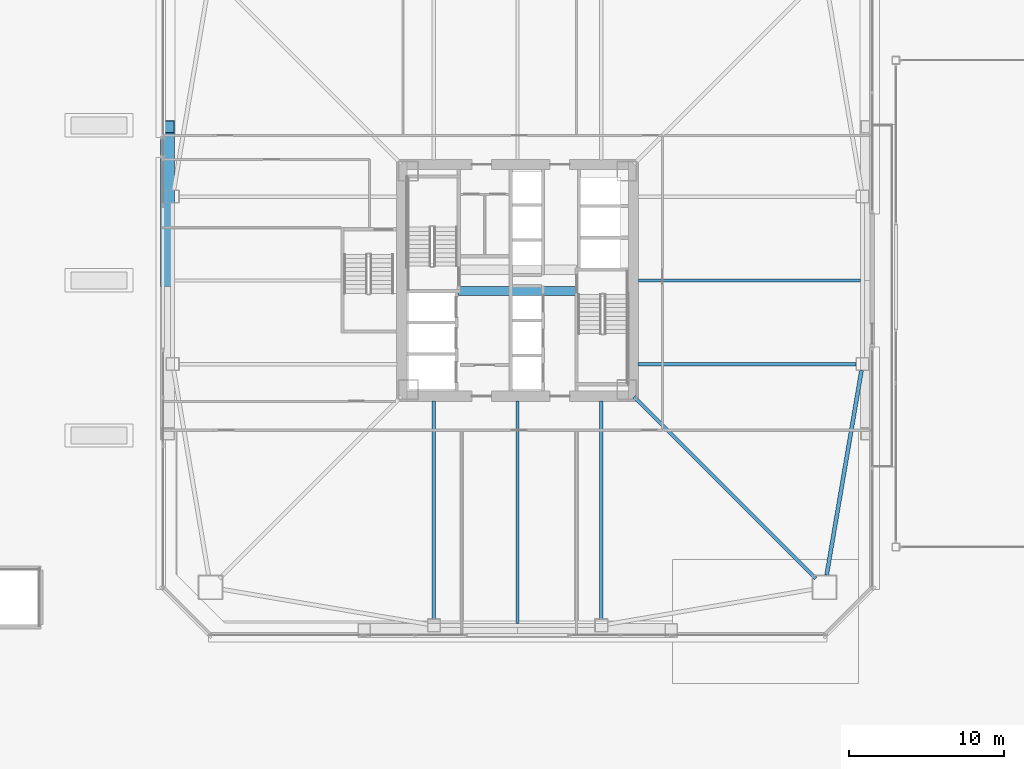
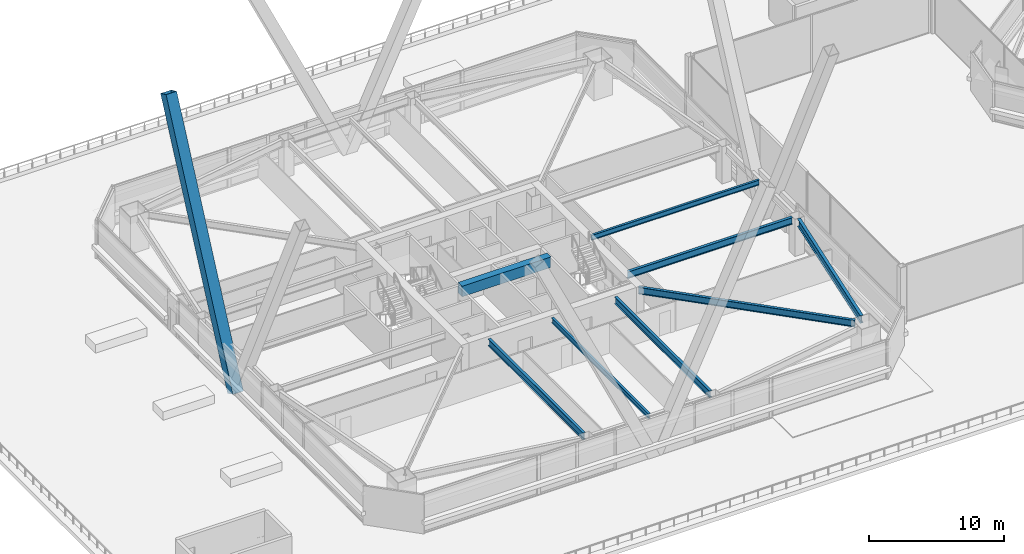
# One storey, part 14 of 83: 8 beams, 1 member.
"""IFC4 building model written with IfcOpenShell, lengths in metres."""

from ifc_helpers import new_model, si_unit, direction, frame, origin, origin_2d, place, context, subcontext, project, spatial, rectangle, hollow_rectangle, i_section, extrude, material, material_profile, profile_set, type_object, element, save


model = new_model("IFC4")

# Units and contexts
model_context = context("Model", 3, precision=1e-05, world=origin(), true_north=direction((0.0, 1.0)))
body_context = subcontext(model_context, "Body", "Model", "MODEL_VIEW")
ifc_project = project(units=[si_unit("LENGTHUNIT", "METRE"), si_unit("AREAUNIT", "SQUARE_METRE"), si_unit("VOLUMEUNIT", "CUBIC_METRE"), si_unit("PLANEANGLEUNIT", "RADIAN"), si_unit("MASSUNIT", "GRAM", prefix="KILO")], contexts=[model_context])

# Site, building, storey
site_placement = place(None, origin())
site = spatial("IfcSite", under=ifc_project, at=site_placement, CompositionType="ELEMENT")
building_placement = place(site_placement, origin())
building = spatial("IfcBuilding", under=site, at=building_placement, Name="Tashvorn Skyway Center", CompositionType="ELEMENT")
storey_placement = place(building_placement, frame((0.0, 0.0, 24.60009765625)))
storey = spatial("IfcBuildingStorey", under=building, at=storey_placement, Name="L05", CompositionType="ELEMENT", Elevation=24.60009765625)

# Beams
ifc_material_1 = material(Name="Steel ASTM A992 Grade 50", Category="steel")
ifc_material_profile_1 = material_profile(ifc_material_1, i_section(OverallWidth=0.22998046875, OverallDepth=0.616943359375, WebThickness=0.01318359375, FlangeThickness=0.022216796875, at=origin_2d()), Name="W24X94")
ifc_profile_set_1 = profile_set([ifc_material_profile_1], Name="Steel ASTM A992 Grade 50")
beam_type_1 = type_object("IfcBeamType", Name="BM-BEAM-W24X94", PredefinedType="BEAM", material=ifc_profile_set_1)
beam_1_placement = place(storey_placement, frame((61.23779296875, 12.76220703125, 3.04150390625), z_axis=(-0.707106781187, 0.707106781187, 0.0), x_axis=(-0.707106781187, -0.707106781187, 0.0)))
element("IfcBeam", 1, at=beam_1_placement, inside=storey, type_object=beam_type_1, Name="Tower 1 L05 Primary Floor Girder MC-SE", PredefinedType="BEAM", context=body_context, shape_type="SweptSolid", body=[
    extrude(i_section(OverallWidth=0.22998046875, OverallDepth=0.616943359375, WebThickness=0.01318359375, FlangeThickness=0.022216796875, at=origin_2d()), origin(), (0.0, 0.0, 1.0), 16.591064453125),
])
for number, where, z_axis, x_axis, name in (
    (2, (36.60009765625, 10.169921875, 3.04150390625), (0.0, 1.0, 0.0), (-1.0, 0.0, 0.0), "Tower 1 L05 Primary Floor Girder FC-S1"),
    (3, (47.39990234375, 10.169921875, 3.04150390625), (0.0, 1.0, 0.0), (-1.0, 0.0, 0.0), "Tower 1 L05 Primary Floor Girder FC-S2"),
    (4, (63.830078125, 26.60009765625, 3.04150390625), (-1.0, 0.0, 0.0), (0.0, -1.0, 0.0), "Tower 1 L05 Primary Floor Girder FC-E1"),
):
    element("IfcBeam", number, at=place(storey_placement, frame(where, z_axis=z_axis, x_axis=x_axis)), inside=storey, type_object=beam_type_1, Name=name, PredefinedType="BEAM", context=body_context, shape_type="SweptSolid", body=[
        extrude(i_section(OverallWidth=0.22998046875, OverallDepth=0.616943359375, WebThickness=0.01318359375, FlangeThickness=0.022216796875, at=origin_2d()), origin(), (0.0, 0.0, 1.0), 14.050048828125),
    ])
ifc_material_profile_2 = material_profile(ifc_material_1, i_section(OverallWidth=0.19091796875, OverallDepth=0.4599609375, WebThickness=0.010009765625, FlangeThickness=0.01611328125, at=origin_2d()), Name="W18X55")
ifc_profile_set_2 = profile_set([ifc_material_profile_2], Name="Steel ASTM A992 Grade 50")
beam_type_2 = type_object("IfcBeamType", Name="BM-JOIST-W18X55", PredefinedType="JOIST", material=ifc_profile_set_2)
for number, where, z_axis, x_axis, name in (
    (5, (42.0, 24.2099609375, 3.119873046875), (0.0, -1.0, 0.0), (1.0, 0.0, 0.0), "Tower 1 L05 Secondary Composite Joist JS"),
    (6, (49.7900390625, 32.0, 3.119873046875), (1.0, 0.0, 0.0), (0.0, 1.0, 0.0), "Tower 1 L05 Secondary Composite Joist JE"),
):
    element("IfcBeam", number, at=place(storey_placement, frame(where, z_axis=z_axis, x_axis=x_axis)), inside=storey, type_object=beam_type_2, Name=name, PredefinedType="JOIST", context=body_context, shape_type="SweptSolid", body=[
        extrude(i_section(OverallWidth=0.19091796875, OverallDepth=0.4599609375, WebThickness=0.010009765625, FlangeThickness=0.01611328125, at=origin_2d()), origin(), (0.0, 0.0, 1.0), 14.33984375),
    ])
ifc_material_2 = material(Name="Concrete C60/75", Category="concrete")
ifc_material_profile_3 = material_profile(ifc_material_2, rectangle(XDim=0.60009765625, YDim=0.949951171875, at=origin_2d()), Name="RCB600x950")
ifc_profile_set_3 = profile_set([ifc_material_profile_3], Name="Concrete C60/75")
beam_type_3 = type_object("IfcBeamType", Name="BM-LINTEL-RCB600x950", PredefinedType="LINTEL", material=ifc_profile_set_3)
beam_2_placement = place(storey_placement, frame((38.199951171875, 31.320068359375, 2.875), z_axis=(1.0, 0.0, 0.0), x_axis=(0.0, 1.0, 0.0)))
element("IfcBeam", 7, at=beam_2_placement, inside=storey, type_object=beam_type_3, Name="Tower 1 L05 Core Coupling Beam CS", PredefinedType="LINTEL", context=body_context, shape_type="SweptSolid", body=[
    extrude(rectangle(XDim=0.60009765625, YDim=0.949951171875, at=origin_2d()), origin(), (0.0, 0.0, 1.0), 7.60009765625),
])
ifc_material_profile_4 = material_profile(ifc_material_1, i_section(OverallWidth=0.256103515625, OverallDepth=0.693115234375, WebThickness=0.014404296875, FlangeThickness=0.023681640625, at=origin_2d()), Name="W27X114")
ifc_profile_set_4 = profile_set([ifc_material_profile_4], Name="Steel ASTM A992 Grade 50")
beam_type_4 = type_object("IfcBeamType", Name="BM-SPANDREL-W27X114", PredefinedType="SPANDREL", material=ifc_profile_set_4)
beam_3_placement = place(storey_placement, frame((61.933349609375, 12.983642578125, 3.00341796875), z_axis=(0.16771792509, 0.985835025551, 0.0), x_axis=(-0.985835025551, 0.16771792509, 0.0)))
element("IfcBeam", 8, at=beam_3_placement, inside=storey, type_object=beam_type_4, Name="Tower 1 L05 Spandrel Beam 04", PredefinedType="SPANDREL", context=body_context, shape_type="SweptSolid", body=[
    extrude(i_section(OverallWidth=0.256103515625, OverallDepth=0.693115234375, WebThickness=0.014404296875, FlangeThickness=0.023681640625, at=origin_2d()), origin(), (0.0, 0.0, 1.0), 13.39208984375),
])

# Member
ifc_material_3 = material(Name="Steel ASTM A572 Grade 50", Category="steel")
ifc_material_profile_5 = material_profile(ifc_material_3, hollow_rectangle(XDim=0.89990234375, YDim=0.89990234375, WallThickness=0.0400390625, at=origin_2d()), Name="BOX900x900x40")
ifc_profile_set_5 = profile_set([ifc_material_profile_5], Name="Steel ASTM A572 Grade 50")
member_type = type_object("IfcMemberType", Name="MEM-MB-900", PredefinedType="BRACE", material=ifc_profile_set_5)
member_placement = place(storey_placement, frame((19.419921875, 32.0, -0.22021484375), z_axis=(0.0, 0.425254538693, 0.905073796616), x_axis=(-1.0, 0.0, 0.0)))
element("IfcMember", 9, at=member_placement, inside=storey, type_object=member_type, Name="Tower 1 Zone 1 W Chevron Mega-Brace L1", PredefinedType="BRACE", context=body_context, shape_type="SweptSolid", body=[
    extrude(hollow_rectangle(XDim=0.89990234375, YDim=0.89990234375, WallThickness=0.0400390625, at=origin_2d()), origin(), (0.0, 0.0, 1.0), 23.280029296875),
])

save(model, "model.ifc")
